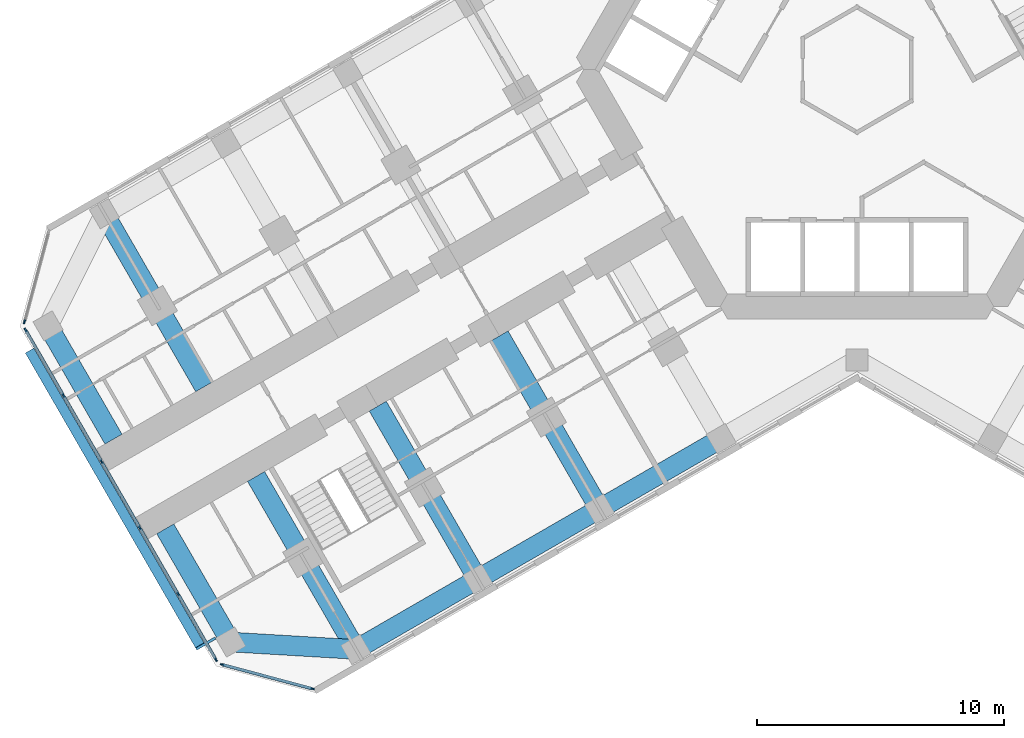
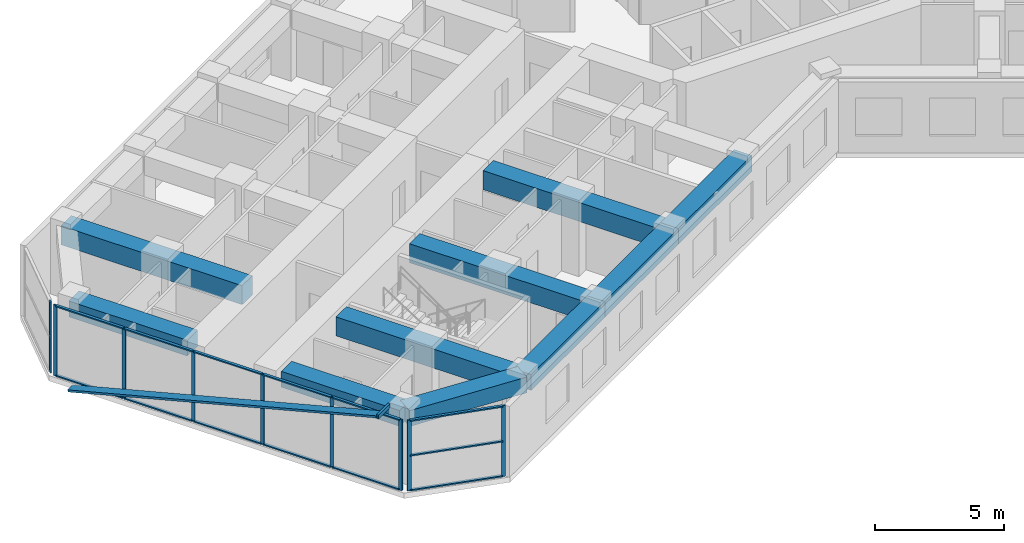
# One storey, part 2 of 21: 24 members, 10 beams, 3 elements without a shape of their own.
"""IFC4 building model written with IfcOpenShell, lengths in metres."""

from ifc_helpers import new_model, si_unit, direction, frame, origin, origin_2d, place, context, subcontext, project, spatial, rectangle, hollow_rectangle, extrude, material, material_profile, profile_set, type_object, element, aggregate, save


model = new_model("IFC4")

# Units and contexts
model_context = context("Model", 3, precision=1e-05, world=origin(), true_north=direction((0.0, 1.0)))
body_context = subcontext(model_context, "Body", "Model", "MODEL_VIEW")
ifc_project = project(units=[si_unit("LENGTHUNIT", "METRE"), si_unit("AREAUNIT", "SQUARE_METRE"), si_unit("VOLUMEUNIT", "CUBIC_METRE"), si_unit("PLANEANGLEUNIT", "RADIAN"), si_unit("MASSUNIT", "GRAM", prefix="KILO")], contexts=[model_context])

# Site, building, storey
site_placement = place(None, origin())
site = spatial("IfcSite", under=ifc_project, at=site_placement, CompositionType="ELEMENT")
building_placement = place(site_placement, origin())
building = spatial("IfcBuilding", under=site, at=building_placement, Name="Kosmar Iwan School Tower", CompositionType="ELEMENT")
storey_placement = place(building_placement, frame((0.0, 0.0, 98.800048828125)))
storey = spatial("IfcBuildingStorey", under=building, at=storey_placement, Name="L24", CompositionType="ELEMENT", Elevation=98.800048828125)

# Members
ifc_material_1 = material(Name="Black anodised aluminium", Category="aluminium")
ifc_material_profile_1 = material_profile(ifc_material_1, rectangle(XDim=0.10009765625, YDim=0.39990234375, at=origin_2d()), Name="FIN 100x400")
ifc_profile_set_1 = profile_set([ifc_material_profile_1], Name="Black anodised aluminium")
member_type_1 = type_object("IfcMemberType", Name="Diagonal fin 100x400", PredefinedType="USERDEFINED", material=ifc_profile_set_1)
member_1_placement = place(storey_placement, frame((-33.54345703125, -11.40087890625, -0.150146484375), z_axis=(0.483793446988, -0.837970316603, 0.25248692866), x_axis=(-0.126241714543, 0.218661104574, 0.96760030532)))
element("IfcMember", 1, at=member_1_placement, inside=storey, type_object=member_type_1, Name="Diagonal fin L24-F13", ObjectType="FIN", PredefinedType="USERDEFINED", context=body_context, shape_type="SweptSolid", body=[
    extrude(rectangle(XDim=0.10009765625, YDim=0.39990234375, at=origin_2d()), origin(), (0.0, 0.0, 1.0), 14.258544921875),
])
ifc_material_2 = material(Name="Steel S355", Category="steel")
ifc_material_profile_2 = material_profile(ifc_material_2, hollow_rectangle(XDim=0.10009765625, YDim=0.199951171875, WallThickness=0.008056640625, at=origin_2d()), Name="RHS 200x100x8")
ifc_profile_set_2 = profile_set([ifc_material_profile_2], Name="Steel S355")
member_type_2 = type_object("IfcMemberType", Name="Fin bracket RHS 200x100", PredefinedType="USERDEFINED", material=ifc_profile_set_2)
member_2_placement = place(storey_placement, frame((-26.01318359375, -23.0439453125, 3.474853515625), z_axis=(-0.866013897511, -0.50001992892, 0.0), x_axis=(0.50001992892, -0.866013897511, 0.0)))
element("IfcMember", 2, at=member_2_placement, inside=storey, type_object=member_type_2, Name="Fin bracket L25", ObjectType="FIN BRACKET", PredefinedType="USERDEFINED", context=body_context, shape_type="SweptSolid", body=[
    extrude(hollow_rectangle(XDim=0.10009765625, YDim=0.199951171875, WallThickness=0.008056640625, at=origin_2d()), origin(), (0.0, 0.0, 1.0), 0.89990234375),
])

# Curtain wall, member
ifc_material_3 = material(Name="Dark glass in black aluminium frame", Category="aluminium")
curtain_wall_type_1 = type_object("IfcCurtainWallType", Name="Chamfer curtain wall dark glass", PredefinedType="USERDEFINED", material=ifc_material_3)
curtain_wall_1_placement = place(storey_placement, origin())
curtain_wall_1 = element("IfcCurtainWall", 3, at=curtain_wall_1_placement, inside=storey, type_object=curtain_wall_type_1, Name="Curtain wall L24-F12", ObjectType="FACETED CURTAIN WALL", PredefinedType="USERDEFINED")
ifc_material_4 = material(Name="Black anodised aluminium", Category="aluminium")
ifc_material_profile_3 = material_profile(ifc_material_4, rectangle(XDim=0.06005859375, YDim=0.159912109375, at=origin_2d()), Name="MULLION 60x160")
ifc_profile_set_3 = profile_set([ifc_material_profile_3], Name="Black anodised aluminium")
member_type_3 = type_object("IfcMemberType", Name="Mullion 60x160", PredefinedType="MULLION", material=ifc_profile_set_3)
member_3_placement = place(storey_placement, frame((-33.7587890625, -10.2236328125, 0.0), z_axis=(0.0, 0.0, 1.0), x_axis=(0.965925875495, -0.258818861462, 0.0)))
member_3 = element("IfcMember", 4, at=member_3_placement, type_object=member_type_3, Name="CW2 mullion 2", PredefinedType="MULLION", context=body_context, shape_type="SweptSolid", body=[
    extrude(rectangle(XDim=0.06005859375, YDim=0.159912109375, at=origin_2d()), origin(), (0.0, 0.0, 1.0), 3.349853515625),
])
aggregate(curtain_wall_1, [member_3])

# Curtain wall, members
ifc_material_5 = material(Name="Dark glass in black aluminium frame", Category="aluminium")
curtain_wall_type_2 = type_object("IfcCurtainWallType", Name="Tower curtain wall dark glass", PredefinedType="USERDEFINED", material=ifc_material_5)
curtain_wall_2_placement = place(storey_placement, origin())
curtain_wall_2 = element("IfcCurtainWall", 5, at=curtain_wall_2_placement, inside=storey, type_object=curtain_wall_type_2, Name="Curtain wall L24-F13", ObjectType="UNITISED CURTAIN WALL", PredefinedType="USERDEFINED")
member_4_placement = place(storey_placement, frame((-33.71533203125, -10.55322265625, 0.0), z_axis=(0.0, 0.0, 1.0), x_axis=(0.866025405329, 0.499999997325, 0.0)))
member_4 = element("IfcMember", 6, at=member_4_placement, type_object=member_type_3, Name="CW1 mullion 1", PredefinedType="MULLION", context=body_context, shape_type="SweptSolid", body=[
    extrude(rectangle(XDim=0.06005859375, YDim=0.159912109375, at=origin_2d()), origin(), (0.0, 0.0, 1.0), 3.349853515625),
])
member_5_placement = place(storey_placement, frame((-32.1806640625, -13.21142578125, 0.0), z_axis=(0.0, 0.0, 1.0), x_axis=(0.866025405329, 0.499999997325, 0.0)))
member_5 = element("IfcMember", 7, at=member_5_placement, type_object=member_type_3, Name="CW1 mullion 2", PredefinedType="MULLION", context=body_context, shape_type="SweptSolid", body=[
    extrude(rectangle(XDim=0.06005859375, YDim=0.159912109375, at=origin_2d()), origin(), (0.0, 0.0, 1.0), 3.349853515625),
])
member_6_placement = place(storey_placement, frame((-30.631103515625, -15.8955078125, 0.0), z_axis=(0.0, 0.0, 1.0), x_axis=(0.866025405329, 0.499999997325, 0.0)))
member_6 = element("IfcMember", 8, at=member_6_placement, type_object=member_type_3, Name="CW1 mullion 3", PredefinedType="MULLION", context=body_context, shape_type="SweptSolid", body=[
    extrude(rectangle(XDim=0.06005859375, YDim=0.159912109375, at=origin_2d()), origin(), (0.0, 0.0, 1.0), 3.349853515625),
])
member_7_placement = place(storey_placement, frame((-29.081298828125, -18.57958984375, 0.0), z_axis=(0.0, 0.0, 1.0), x_axis=(0.866025405329, 0.499999997325, 0.0)))
member_7 = element("IfcMember", 9, at=member_7_placement, type_object=member_type_3, Name="CW1 mullion 4", PredefinedType="MULLION", context=body_context, shape_type="SweptSolid", body=[
    extrude(rectangle(XDim=0.06005859375, YDim=0.159912109375, at=origin_2d()), origin(), (0.0, 0.0, 1.0), 3.349853515625),
])
member_8_placement = place(storey_placement, frame((-27.53173828125, -21.263671875, 0.0), z_axis=(0.0, 0.0, 1.0), x_axis=(0.866025405329, 0.499999997325, 0.0)))
member_8 = element("IfcMember", 10, at=member_8_placement, type_object=member_type_3, Name="CW1 mullion 5", PredefinedType="MULLION", context=body_context, shape_type="SweptSolid", body=[
    extrude(rectangle(XDim=0.06005859375, YDim=0.159912109375, at=origin_2d()), origin(), (0.0, 0.0, 1.0), 3.349853515625),
])
member_9_placement = place(storey_placement, frame((-25.9970703125, -23.921630859375, 0.0), z_axis=(0.0, 0.0, 1.0), x_axis=(0.866025405329, 0.499999997325, 0.0)))
member_9 = element("IfcMember", 11, at=member_9_placement, type_object=member_type_3, Name="CW1 mullion 6", PredefinedType="MULLION", context=body_context, shape_type="SweptSolid", body=[
    extrude(rectangle(XDim=0.06005859375, YDim=0.159912109375, at=origin_2d()), origin(), (0.0, 0.0, 1.0), 3.349853515625),
])

curtain_wall_3_placement = place(storey_placement, origin())
curtain_wall_3 = element("IfcCurtainWall", 12, at=curtain_wall_3_placement, inside=storey, type_object=curtain_wall_type_1, Name="Curtain wall L24-F14", ObjectType="FACETED CURTAIN WALL", PredefinedType="USERDEFINED")
member_10_placement = place(storey_placement, frame((-25.733154296875, -24.124267578125, 0.0), z_axis=(0.0, 0.0, 1.0), x_axis=(0.258818861462, 0.965925875495, 0.0)))
member_10 = element("IfcMember", 13, at=member_10_placement, type_object=member_type_3, Name="CW2 mullion 1", PredefinedType="MULLION", context=body_context, shape_type="SweptSolid", body=[
    extrude(rectangle(XDim=0.06005859375, YDim=0.159912109375, at=origin_2d()), origin(), (0.0, 0.0, 1.0), 3.349853515625),
])
member_11_placement = place(storey_placement, frame((-22.0830078125, -25.102294921875, 0.0), z_axis=(0.0, 0.0, 1.0), x_axis=(0.258818861462, 0.965925875495, 0.0)))
member_11 = element("IfcMember", 14, at=member_11_placement, type_object=member_type_3, Name="CW2 mullion 2", PredefinedType="MULLION", context=body_context, shape_type="SweptSolid", body=[
    extrude(rectangle(XDim=0.06005859375, YDim=0.159912109375, at=origin_2d()), origin(), (0.0, 0.0, 1.0), 3.349853515625),
])

# Beams
ifc_material_6 = material(Name="Concrete C50/60", Category="concrete")
ifc_material_profile_4 = material_profile(ifc_material_6, rectangle(XDim=0.800048828125, YDim=0.75, at=origin_2d()), Name="RC 800x750")
ifc_profile_set_4 = profile_set([ifc_material_profile_4], Name="Concrete C50/60")
beam_type_1 = type_object("IfcBeamType", Name="RC edge beam 800x750", PredefinedType="BEAM", material=ifc_profile_set_4)
beam_1_placement = place(storey_placement, frame((-5.5087890625, -14.95849609375, 2.974853515625), z_axis=(-0.866033658841, -0.49998570155, 0.0), x_axis=(0.49998570155, -0.866033658841, 0.0)))
element("IfcBeam", 15, at=beam_1_placement, inside=storey, type_object=beam_type_1, Name="Edge beam BL2", PredefinedType="BEAM", context=body_context, shape_type="SweptSolid", body=[
    extrude(rectangle(XDim=0.800048828125, YDim=0.75, at=origin_2d()), origin(), (0.0, 0.0, 1.0), 5.699951171875),
])
beam_2_placement = place(storey_placement, frame((-10.445068359375, -17.808349609375, 2.974853515625), z_axis=(-0.866025820012, -0.499999279071, 0.0), x_axis=(0.499999279071, -0.866025820012, 0.0)))
element("IfcBeam", 16, at=beam_2_placement, inside=storey, type_object=beam_type_1, Name="Edge beam BL3", PredefinedType="BEAM", context=body_context, shape_type="SweptSolid", body=[
    extrude(rectangle(XDim=0.800048828125, YDim=0.75, at=origin_2d()), origin(), (0.0, 0.0, 1.0), 5.7001953125),
])
beam_3_placement = place(storey_placement, frame((-15.381591796875, -20.658447265625, 2.974853515625), z_axis=(-0.866015111908, -0.50001782563, 0.0), x_axis=(0.50001782563, -0.866015111908, 0.0)))
element("IfcBeam", 17, at=beam_3_placement, inside=storey, type_object=beam_type_1, Name="Edge beam BL4", PredefinedType="BEAM", context=body_context, shape_type="SweptSolid", body=[
    extrude(rectangle(XDim=0.800048828125, YDim=0.75, at=origin_2d()), origin(), (0.0, 0.0, 1.0), 5.699951171875),
])
ifc_material_7 = material(Name="Concrete C50/60", Category="concrete")
ifc_material_profile_5 = material_profile(ifc_material_7, rectangle(XDim=0.800048828125, YDim=0.75, at=origin_2d()), Name="RC 800x750")
ifc_profile_set_5 = profile_set([ifc_material_profile_5], Name="Concrete C50/60")
beam_type_2 = type_object("IfcBeamType", Name="RC tip beam 800x750", PredefinedType="BEAM", material=ifc_profile_set_5)
beam_4_placement = place(storey_placement, frame((-20.31787109375, -23.508544921875, 2.974853515625), z_axis=(-0.998260616478, 0.058955420358, 0.0), x_axis=(-0.058955420358, -0.998260616478, 0.0)))
element("IfcBeam", 18, at=beam_4_placement, inside=storey, type_object=beam_type_2, Name="Tip beam BL", PredefinedType="BEAM", context=body_context, shape_type="SweptSolid", body=[
    extrude(rectangle(XDim=0.800048828125, YDim=0.75, at=origin_2d()), origin(), (0.0, 0.0, 1.0), 5.08935546875),
])
beam_5_placement = place(storey_placement, frame((-25.3984375, -23.20849609375, 2.974853515625), z_axis=(-0.499993606316, 0.866029095148, 0.0), x_axis=(-0.866029095148, -0.499993606316, 0.0)))
element("IfcBeam", 19, at=beam_5_placement, inside=storey, type_object=beam_type_2, Name="Tip beam BL to corridor wall", PredefinedType="BEAM", context=body_context, shape_type="SweptSolid", body=[
    extrude(rectangle(XDim=0.800048828125, YDim=0.75, at=origin_2d()), origin(), (0.0, 0.0, 1.0), 5.2998046875),
])
beam_6_placement = place(storey_placement, frame((-32.79833984375, -10.391357421875, 2.974853515625), z_axis=(0.499973660256, -0.866040610509, 0.0), x_axis=(0.866040610509, 0.499973660256, 0.0)))
element("IfcBeam", 20, at=beam_6_placement, inside=storey, type_object=beam_type_2, Name="Tip beam BR to corridor wall", PredefinedType="BEAM", context=body_context, shape_type="SweptSolid", body=[
    extrude(rectangle(XDim=0.800048828125, YDim=0.75, at=origin_2d()), origin(), (0.0, 0.0, 1.0), 5.300048828125),
])
ifc_material_8 = material(Name="Concrete C50/60", Category="concrete")
ifc_material_profile_6 = material_profile(ifc_material_8, rectangle(XDim=0.800048828125, YDim=0.89990234375, at=origin_2d()), Name="RC 800x900")
ifc_profile_set_6 = profile_set([ifc_material_profile_6], Name="Concrete C50/60")
beam_type_3 = type_object("IfcBeamType", Name="RC transverse beam 800x900", PredefinedType="BEAM", material=ifc_profile_set_6)
beam_7_placement = place(storey_placement, frame((-10.445068359375, -17.808349609375, 2.89990234375), z_axis=(-0.500012932018, 0.866017937352, 0.0), x_axis=(-0.866017937352, -0.500012932018, 0.0)))
element("IfcBeam", 21, at=beam_7_placement, inside=storey, type_object=beam_type_3, Name="Transverse beam BL2", PredefinedType="BEAM", context=body_context, shape_type="SweptSolid", body=[
    extrude(rectangle(XDim=0.800048828125, YDim=0.89990234375, at=origin_2d()), origin(), (0.0, 0.0, 1.0), 8.099853515625),
])
for number, where, z_axis, x_axis, name in (
    (22, (-15.381591796875, -20.658447265625, 2.89990234375), (-0.499977274689, 0.866038523851, 0.0), (-0.866038523851, -0.499977274689, 0.0), "Transverse beam BL3"),
    (23, (-20.31787109375, -23.508544921875, 2.89990234375), (-0.499999880539, 0.866025472755, 0.0), (-0.866025472755, -0.499999880539, 0.0), "Transverse beam BL4"),
    (24, (-30.517822265625, -5.841552734375, 2.89990234375), (0.499999880539, -0.866025472755, 0.0), (0.866025472755, 0.499999880539, 0.0), "Transverse beam BR4"),
):
    element("IfcBeam", number, at=place(storey_placement, frame(where, z_axis=z_axis, x_axis=x_axis)), inside=storey, type_object=beam_type_3, Name=name, PredefinedType="BEAM", context=body_context, shape_type="SweptSolid", body=[
        extrude(rectangle(XDim=0.800048828125, YDim=0.89990234375, at=origin_2d()), origin(), (0.0, 0.0, 1.0), 8.10009765625),
    ])

# Member
ifc_material_9 = material(Name="Black anodised aluminium", Category="aluminium")
ifc_material_profile_7 = material_profile(ifc_material_9, rectangle(XDim=0.1201171875, YDim=0.06005859375, at=origin_2d()), Name="TRANSOM 60x120")
ifc_profile_set_7 = profile_set([ifc_material_profile_7], Name="Black anodised aluminium")
member_type_4 = type_object("IfcMemberType", Name="Transom 60x120", PredefinedType="USERDEFINED", material=ifc_profile_set_7)
member_12_placement = place(storey_placement, frame((-33.700439453125, -10.579345703125, 0.030029296875), z_axis=(0.500022102064, -0.866012642776, 0.0), x_axis=(0.866012642776, 0.500022102064, 0.0)))
member_12 = element("IfcMember", 25, at=member_12_placement, type_object=member_type_4, Name="CW1 transom 1.1", ObjectType="TRANSOM", PredefinedType="USERDEFINED", context=body_context, shape_type="SweptSolid", body=[
    extrude(rectangle(XDim=0.1201171875, YDim=0.06005859375, at=origin_2d()), origin(), (0.0, 0.0, 1.0), 3.009033203125),
])

member_13_placement = place(storey_placement, frame((-33.700439453125, -10.579345703125, 3.320068359375), z_axis=(0.500022102064, -0.866012642776, 0.0), x_axis=(0.866012642776, 0.500022102064, 0.0)))
member_13 = element("IfcMember", 26, at=member_13_placement, type_object=member_type_4, Name="CW1 transom 1.2", ObjectType="TRANSOM", PredefinedType="USERDEFINED", context=body_context, shape_type="SweptSolid", body=[
    extrude(rectangle(XDim=0.1201171875, YDim=0.06005859375, at=origin_2d()), origin(), (0.0, 0.0, 1.0), 3.009033203125),
])

member_14_placement = place(storey_placement, frame((-32.165771484375, -13.2373046875, 0.030029296875), z_axis=(0.500035348339, -0.866004994449, 0.0), x_axis=(0.866004994449, 0.500035348339, 0.0)))
member_14 = element("IfcMember", 27, at=member_14_placement, type_object=member_type_4, Name="CW1 transom 2.1", ObjectType="TRANSOM", PredefinedType="USERDEFINED", context=body_context, shape_type="SweptSolid", body=[
    extrude(rectangle(XDim=0.1201171875, YDim=0.06005859375, at=origin_2d()), origin(), (0.0, 0.0, 1.0), 3.039306640625),
])

member_15_placement = place(storey_placement, frame((-32.165771484375, -13.2373046875, 3.320068359375), z_axis=(0.500035348339, -0.866004994449, 0.0), x_axis=(0.866004994449, 0.500035348339, 0.0)))
member_15 = element("IfcMember", 28, at=member_15_placement, type_object=member_type_4, Name="CW1 transom 2.2", ObjectType="TRANSOM", PredefinedType="USERDEFINED", context=body_context, shape_type="SweptSolid", body=[
    extrude(rectangle(XDim=0.1201171875, YDim=0.06005859375, at=origin_2d()), origin(), (0.0, 0.0, 1.0), 3.039306640625),
])

member_16_placement = place(storey_placement, frame((-30.615966796875, -15.92138671875, 0.030029296875), z_axis=(0.499975102327, -0.866039777986, 0.0), x_axis=(0.866039777986, 0.499975102327, 0.0)))
member_16 = element("IfcMember", 29, at=member_16_placement, type_object=member_type_4, Name="CW1 transom 3.1", ObjectType="TRANSOM", PredefinedType="USERDEFINED", context=body_context, shape_type="SweptSolid", body=[
    extrude(rectangle(XDim=0.1201171875, YDim=0.06005859375, at=origin_2d()), origin(), (0.0, 0.0, 1.0), 3.039306640625),
])

member_17_placement = place(storey_placement, frame((-30.615966796875, -15.92138671875, 3.320068359375), z_axis=(0.499975102327, -0.866039777986, 0.0), x_axis=(0.866039777986, 0.499975102327, 0.0)))
member_17 = element("IfcMember", 30, at=member_17_placement, type_object=member_type_4, Name="CW1 transom 3.2", ObjectType="TRANSOM", PredefinedType="USERDEFINED", context=body_context, shape_type="SweptSolid", body=[
    extrude(rectangle(XDim=0.1201171875, YDim=0.06005859375, at=origin_2d()), origin(), (0.0, 0.0, 1.0), 3.039306640625),
])

member_18_placement = place(storey_placement, frame((-29.06640625, -18.60546875, 0.030029296875), z_axis=(0.499975102327, -0.866039777986, 0.0), x_axis=(0.866039777986, 0.499975102327, 0.0)))
member_18 = element("IfcMember", 31, at=member_18_placement, type_object=member_type_4, Name="CW1 transom 4.1", ObjectType="TRANSOM", PredefinedType="USERDEFINED", context=body_context, shape_type="SweptSolid", body=[
    extrude(rectangle(XDim=0.1201171875, YDim=0.06005859375, at=origin_2d()), origin(), (0.0, 0.0, 1.0), 3.039306640625),
])

member_19_placement = place(storey_placement, frame((-29.06640625, -18.60546875, 3.320068359375), z_axis=(0.499975102327, -0.866039777986, 0.0), x_axis=(0.866039777986, 0.499975102327, 0.0)))
member_19 = element("IfcMember", 32, at=member_19_placement, type_object=member_type_4, Name="CW1 transom 4.2", ObjectType="TRANSOM", PredefinedType="USERDEFINED", context=body_context, shape_type="SweptSolid", body=[
    extrude(rectangle(XDim=0.1201171875, YDim=0.06005859375, at=origin_2d()), origin(), (0.0, 0.0, 1.0), 3.039306640625),
])

member_20_placement = place(storey_placement, frame((-27.516845703125, -21.28955078125, 0.030029296875), z_axis=(0.499986971506, -0.866032925658, 0.0), x_axis=(0.866032925658, 0.499986971506, 0.0)))
member_20 = element("IfcMember", 33, at=member_20_placement, type_object=member_type_4, Name="CW1 transom 5.1", ObjectType="TRANSOM", PredefinedType="USERDEFINED", context=body_context, shape_type="SweptSolid", body=[
    extrude(rectangle(XDim=0.1201171875, YDim=0.06005859375, at=origin_2d()), origin(), (0.0, 0.0, 1.0), 3.00927734375),
])

member_21_placement = place(storey_placement, frame((-27.516845703125, -21.28955078125, 3.320068359375), z_axis=(0.499986971506, -0.866032925658, 0.0), x_axis=(0.866032925658, 0.499986971506, 0.0)))
member_21 = element("IfcMember", 34, at=member_21_placement, type_object=member_type_4, Name="CW1 transom 5.2", ObjectType="TRANSOM", PredefinedType="USERDEFINED", context=body_context, shape_type="SweptSolid", body=[
    extrude(rectangle(XDim=0.1201171875, YDim=0.06005859375, at=origin_2d()), origin(), (0.0, 0.0, 1.0), 3.00927734375),
])

aggregate(curtain_wall_2, [member_4, member_5, member_6, member_7, member_8, member_9, member_12, member_13, member_14, member_15, member_16, member_17, member_18, member_19, member_20, member_21])

member_22_placement = place(storey_placement, frame((-25.704345703125, -24.1318359375, 0.030029296875), z_axis=(0.965923731726, -0.258826861991, 0.0), x_axis=(0.258826861991, 0.965923731726, 0.0)))
member_22 = element("IfcMember", 35, at=member_22_placement, type_object=member_type_4, Name="CW2 transom 1.1", ObjectType="TRANSOM", PredefinedType="USERDEFINED", context=body_context, shape_type="SweptSolid", body=[
    extrude(rectangle(XDim=0.1201171875, YDim=0.06005859375, at=origin_2d()), origin(), (0.0, 0.0, 1.0), 3.71923828125),
])

member_23_placement = place(storey_placement, frame((-25.704345703125, -24.1318359375, 1.675048828125), z_axis=(0.965923731726, -0.258826861991, 0.0), x_axis=(0.258826861991, 0.965923731726, 0.0)))
member_23 = element("IfcMember", 36, at=member_23_placement, type_object=member_type_4, Name="CW2 transom 1.2", ObjectType="TRANSOM", PredefinedType="USERDEFINED", context=body_context, shape_type="SweptSolid", body=[
    extrude(rectangle(XDim=0.1201171875, YDim=0.06005859375, at=origin_2d()), origin(), (0.0, 0.0, 1.0), 3.71923828125),
])

member_24_placement = place(storey_placement, frame((-25.704345703125, -24.1318359375, 3.320068359375), z_axis=(0.965923731726, -0.258826861991, 0.0), x_axis=(0.258826861991, 0.965923731726, 0.0)))
member_24 = element("IfcMember", 37, at=member_24_placement, type_object=member_type_4, Name="CW2 transom 1.3", ObjectType="TRANSOM", PredefinedType="USERDEFINED", context=body_context, shape_type="SweptSolid", body=[
    extrude(rectangle(XDim=0.1201171875, YDim=0.06005859375, at=origin_2d()), origin(), (0.0, 0.0, 1.0), 3.71923828125),
])

aggregate(curtain_wall_3, [member_10, member_11, member_22, member_23, member_24])

save(model, "model.ifc")
